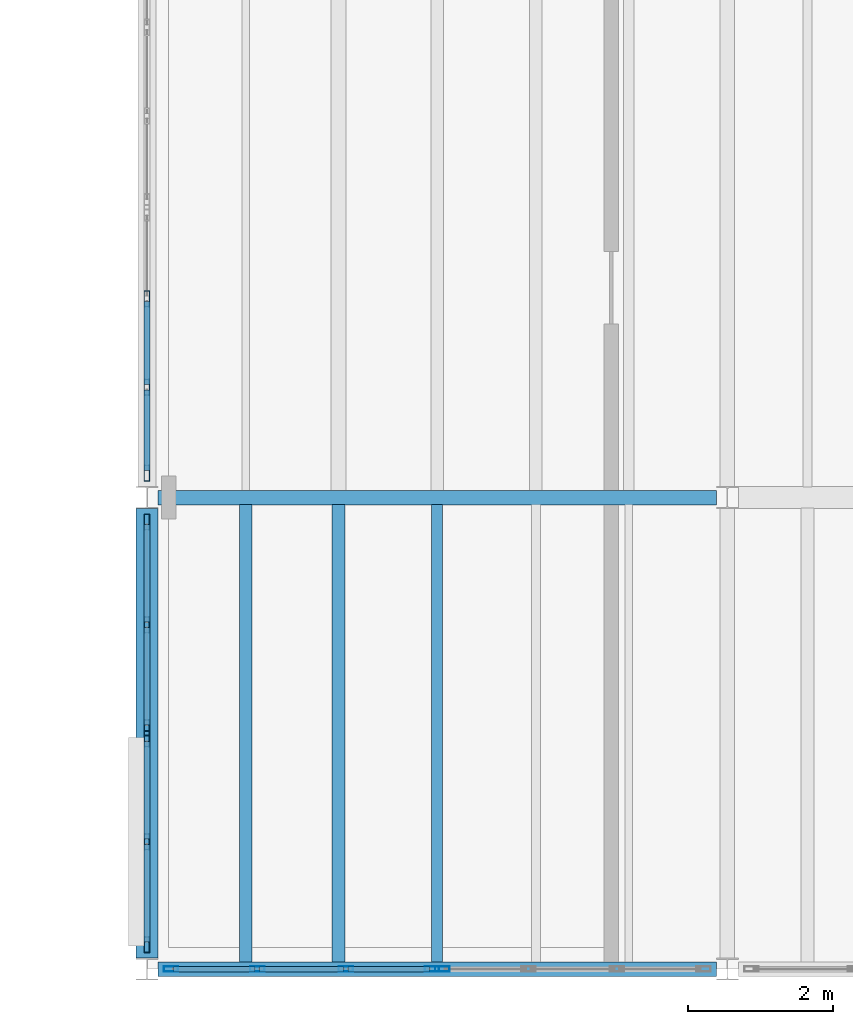
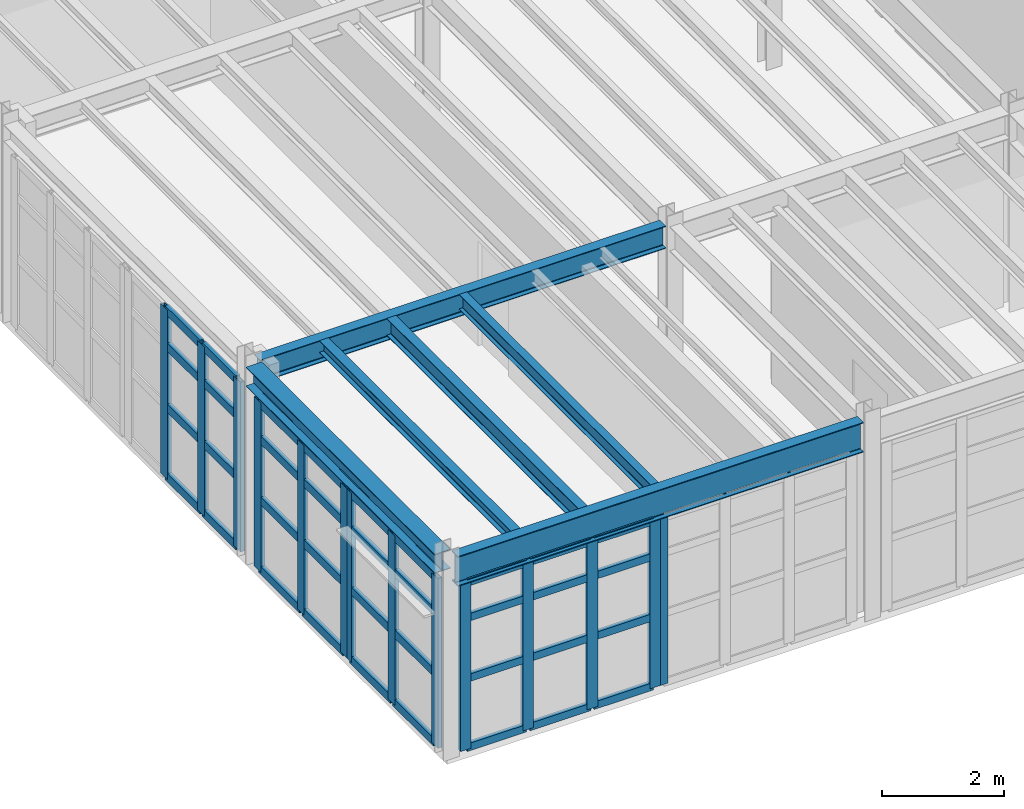
# One storey, part 3 of 27: 50 members, 6 beams, 5 elements without a shape of their own.
"""IFC4 building model written with IfcOpenShell, lengths in metres."""

from ifc_helpers import new_model, si_unit, direction, frame, origin, origin_2d, place, context, subcontext, project, spatial, hollow_rectangle, i_section, extrude, material, material_profile, profile_set, type_object, element, aggregate, save


model = new_model("IFC4")

# Units and contexts
model_context = context("Model", 3, precision=1e-05, world=origin(), true_north=direction((0.0, 1.0)))
body_context = subcontext(model_context, "Body", "Model", "MODEL_VIEW")
ifc_project = project(units=[si_unit("LENGTHUNIT", "METRE"), si_unit("AREAUNIT", "SQUARE_METRE"), si_unit("VOLUMEUNIT", "CUBIC_METRE"), si_unit("PLANEANGLEUNIT", "RADIAN"), si_unit("MASSUNIT", "GRAM", prefix="KILO"), si_unit("THERMODYNAMICTEMPERATUREUNIT", "KELVIN"), si_unit("POWERUNIT", "WATT")], contexts=[model_context])

# Site, building, storey
site_placement = place(None, origin())
site = spatial("IfcSite", under=ifc_project, at=site_placement, CompositionType="ELEMENT")
building_placement = place(site_placement, origin())
building = spatial("IfcBuilding", under=site, at=building_placement, Name="Zhenchuan Central Fire Station", CompositionType="ELEMENT")
storey_placement = place(building_placement, frame((0.0, 0.0, 14.25)))
storey = spatial("IfcBuildingStorey", under=building, at=storey_placement, Name="L04", CompositionType="ELEMENT", Elevation=14.25)

# Beams
ifc_material_1 = material(Name="Steel Q355B", Category="steel")
ifc_material_profile_1 = material_profile(ifc_material_1, i_section(OverallWidth=0.300048828125, OverallDepth=0.389892578125, WebThickness=0.010009765625, FlangeThickness=0.01611328125, FilletRadius=0.02001953125, at=origin_2d()), Name="HM 390x300")
ifc_profile_set_1 = profile_set([ifc_material_profile_1], Name="Steel Q355B")
beam_type_1 = type_object("IfcBeamType", Name="BM-HM390-INT", PredefinedType="BEAM", material=ifc_profile_set_1)
beam_1_placement = place(storey_placement, frame((140.0, 0.14990234375, 3.784912109375), z_axis=(0.0, 1.0, 0.0), x_axis=(-1.0, 0.0, 0.0)))
element("IfcBeam", 1, at=beam_1_placement, inside=storey, type_object=beam_type_1, Name="L05 Girder NS 0459", PredefinedType="BEAM", context=body_context, shape_type="SweptSolid", body=[
    extrude(i_section(OverallWidth=0.300048828125, OverallDepth=0.389892578125, WebThickness=0.010009765625, FlangeThickness=0.01611328125, FilletRadius=0.02001953125, at=origin_2d()), origin(), (0.0, 0.0, 1.0), 6.2001953125),
])
ifc_material_profile_2 = material_profile(ifc_material_1, i_section(OverallWidth=0.199951171875, OverallDepth=0.449951171875, WebThickness=0.009033203125, FlangeThickness=0.013916015625, FilletRadius=0.01806640625, at=origin_2d()), Name="HN 450x200")
ifc_profile_set_2 = profile_set([ifc_material_profile_2], Name="Steel Q355B")
beam_type_2 = type_object("IfcBeamType", Name="BM-HN450", PredefinedType="BEAM", material=ifc_profile_set_2)
beam_2_placement = place(storey_placement, frame((140.14990234375, 6.5, 3.7548828125), z_axis=(1.0, 0.0, 0.0), x_axis=(0.0, 1.0, 0.0)))
element("IfcBeam", 2, at=beam_2_placement, inside=storey, type_object=beam_type_2, Name="L05 Girder EW 0434", PredefinedType="BEAM", context=body_context, shape_type="SweptSolid", body=[
    extrude(i_section(OverallWidth=0.199951171875, OverallDepth=0.449951171875, WebThickness=0.009033203125, FlangeThickness=0.013916015625, FilletRadius=0.01806640625, at=origin_2d()), origin(), (0.0, 0.0, 1.0), 7.7001953125),
])
ifc_material_profile_3 = material_profile(ifc_material_1, i_section(OverallWidth=0.199951171875, OverallDepth=0.60009765625, WebThickness=0.010986328125, FlangeThickness=0.01708984375, FilletRadius=0.02197265625, at=origin_2d()), Name="HN 600x200")
ifc_profile_set_3 = profile_set([ifc_material_profile_3], Name="Steel Q355B")
beam_type_3 = type_object("IfcBeamType", Name="BM-HN600", PredefinedType="BEAM", material=ifc_profile_set_3)
beam_3_placement = place(storey_placement, frame((140.14990234375, 0.0, 3.679931640625), z_axis=(1.0, 0.0, 0.0), x_axis=(0.0, 1.0, 0.0)))
element("IfcBeam", 3, at=beam_3_placement, inside=storey, type_object=beam_type_3, Name="L05 Girder EW 0431", PredefinedType="BEAM", context=body_context, shape_type="SweptSolid", body=[
    extrude(i_section(OverallWidth=0.199951171875, OverallDepth=0.60009765625, WebThickness=0.010986328125, FlangeThickness=0.01708984375, FilletRadius=0.02197265625, at=origin_2d()), origin(), (0.0, 0.0, 1.0), 7.7001953125),
])

# Curtain wall, members
ifc_material_2 = material(Name="Anodised aluminium and low-E glazing", Category="aluminium")
curtain_wall_type_1 = type_object("IfcCurtainWallType", Name="CW-MOD-07", PredefinedType="USERDEFINED", material=ifc_material_2)
curtain_wall_1_placement = place(storey_placement, origin())
curtain_wall_1 = element("IfcCurtainWall", 4, at=curtain_wall_1_placement, inside=storey, type_object=curtain_wall_type_1, Name="L04 Unitised Curtain Wall 122", ObjectType="UNITISED GLAZING", PredefinedType="USERDEFINED")
ifc_material_3 = material(Name="Anodised aluminium EN AW-6063", Category="aluminium")
ifc_material_profile_4 = material_profile(ifc_material_3, hollow_rectangle(XDim=0.074951171875, YDim=0.199951171875, WallThickness=0.0048828125, at=origin_2d()), Name="ALU-M 200x75")
ifc_profile_set_4 = profile_set([ifc_material_profile_4], Name="Anodised aluminium EN AW-6063")
member_type_1 = type_object("IfcMemberType", Name="CW-MUL160", PredefinedType="MULLION", material=ifc_profile_set_4)
member_1_placement = place(storey_placement, frame((140.33251953125, 0.0, -0.00390625), z_axis=(0.0, 0.0, 1.0), x_axis=(0.0, 1.0, 0.0)))
member_1 = element("IfcMember", 5, at=member_1_placement, type_object=member_type_1, Name="CW-07 mullion 1", PredefinedType="MULLION", context=body_context, shape_type="SweptSolid", body=[
    extrude(hollow_rectangle(XDim=0.074951171875, YDim=0.199951171875, WallThickness=0.0048828125, at=origin_2d()), origin(), (0.0, 0.0, 1.0), 3.3779296875),
])
member_2_placement = place(storey_placement, frame((141.520751953125, 0.0, -0.00390625), z_axis=(0.0, 0.0, 1.0), x_axis=(0.0, 1.0, 0.0)))
member_2 = element("IfcMember", 6, at=member_2_placement, type_object=member_type_1, Name="CW-07 mullion 2", PredefinedType="MULLION", context=body_context, shape_type="SweptSolid", body=[
    extrude(hollow_rectangle(XDim=0.074951171875, YDim=0.199951171875, WallThickness=0.0048828125, at=origin_2d()), origin(), (0.0, 0.0, 1.0), 3.3779296875),
])
member_3_placement = place(storey_placement, frame((142.741455078125, 0.0, -0.00390625), z_axis=(0.0, 0.0, 1.0), x_axis=(0.0, 1.0, 0.0)))
member_3 = element("IfcMember", 7, at=member_3_placement, type_object=member_type_1, Name="CW-07 mullion 3", PredefinedType="MULLION", context=body_context, shape_type="SweptSolid", body=[
    extrude(hollow_rectangle(XDim=0.074951171875, YDim=0.199951171875, WallThickness=0.0048828125, at=origin_2d()), origin(), (0.0, 0.0, 1.0), 3.3779296875),
])
member_4_placement = place(storey_placement, frame((143.929443359375, 0.0, -0.00390625), z_axis=(0.0, 0.0, 1.0), x_axis=(0.0, 1.0, 0.0)))
member_4 = element("IfcMember", 8, at=member_4_placement, type_object=member_type_1, Name="CW-07 mullion 4", PredefinedType="MULLION", context=body_context, shape_type="SweptSolid", body=[
    extrude(hollow_rectangle(XDim=0.074951171875, YDim=0.199951171875, WallThickness=0.0048828125, at=origin_2d()), origin(), (0.0, 0.0, 1.0), 3.3779296875),
])

# Curtain wall, member
curtain_wall_type_2 = type_object("IfcCurtainWallType", Name="CW-MOD-08", PredefinedType="USERDEFINED", material=ifc_material_2)
curtain_wall_2_placement = place(storey_placement, origin())
curtain_wall_2 = element("IfcCurtainWall", 9, at=curtain_wall_2_placement, inside=storey, type_object=curtain_wall_type_2, Name="L04 Unitised Curtain Wall 123", ObjectType="UNITISED GLAZING", PredefinedType="USERDEFINED")
member_5_placement = place(storey_placement, frame((144.070556640625, 0.0, -0.00390625), z_axis=(0.0, 0.0, 1.0), x_axis=(0.0, 1.0, 0.0)))
member_5 = element("IfcMember", 10, at=member_5_placement, type_object=member_type_1, Name="CW-08 mullion 1", PredefinedType="MULLION", context=body_context, shape_type="SweptSolid", body=[
    extrude(hollow_rectangle(XDim=0.074951171875, YDim=0.199951171875, WallThickness=0.0048828125, at=origin_2d()), origin(), (0.0, 0.0, 1.0), 3.3779296875),
])
aggregate(curtain_wall_2, [member_5])

# Curtain wall, members
curtain_wall_type_3 = type_object("IfcCurtainWallType", Name="CW-MOD-12", PredefinedType="USERDEFINED", material=ifc_material_2)
curtain_wall_3_placement = place(storey_placement, origin())
curtain_wall_3 = element("IfcCurtainWall", 11, at=curtain_wall_3_placement, inside=storey, type_object=curtain_wall_type_3, Name="L04 Unitised Curtain Wall 132", ObjectType="UNITISED GLAZING", PredefinedType="USERDEFINED")
ifc_material_profile_5 = material_profile(ifc_material_3, hollow_rectangle(XDim=0.080078125, YDim=0.219970703125, WallThickness=0.005615234375, at=origin_2d()), Name="ALU-M 220x80")
ifc_profile_set_5 = profile_set([ifc_material_profile_5], Name="Anodised aluminium EN AW-6063")
member_type_2 = type_object("IfcMemberType", Name="CW-MUL200", PredefinedType="MULLION", material=ifc_profile_set_5)
member_6_placement = place(storey_placement, frame((140.0, 0.33740234375, -0.00390625), z_axis=(0.0, 0.0, 1.0), x_axis=(-1.0, 0.0, 0.0)))
member_6 = element("IfcMember", 12, at=member_6_placement, type_object=member_type_2, Name="CW-12 mullion 1", PredefinedType="MULLION", context=body_context, shape_type="SweptSolid", body=[
    extrude(hollow_rectangle(XDim=0.080078125, YDim=0.219970703125, WallThickness=0.005615234375, at=origin_2d()), origin(), (0.0, 0.0, 1.0), 3.40380859375),
])
member_7_placement = place(storey_placement, frame((140.0, 1.756103515625, -0.00390625), z_axis=(0.0, 0.0, 1.0), x_axis=(-1.0, 0.0, 0.0)))
member_7 = element("IfcMember", 13, at=member_7_placement, type_object=member_type_2, Name="CW-12 mullion 2", PredefinedType="MULLION", context=body_context, shape_type="SweptSolid", body=[
    extrude(hollow_rectangle(XDim=0.080078125, YDim=0.219970703125, WallThickness=0.005615234375, at=origin_2d()), origin(), (0.0, 0.0, 1.0), 3.40380859375),
])
member_8_placement = place(storey_placement, frame((140.0, 3.174560546875, -0.00390625), z_axis=(0.0, 0.0, 1.0), x_axis=(-1.0, 0.0, 0.0)))
member_8 = element("IfcMember", 14, at=member_8_placement, type_object=member_type_2, Name="CW-12 mullion 3", PredefinedType="MULLION", context=body_context, shape_type="SweptSolid", body=[
    extrude(hollow_rectangle(XDim=0.080078125, YDim=0.219970703125, WallThickness=0.005615234375, at=origin_2d()), origin(), (0.0, 0.0, 1.0), 3.40380859375),
])

curtain_wall_type_4 = type_object("IfcCurtainWallType", Name="CW-MOD-13", PredefinedType="USERDEFINED", material=ifc_material_2)
curtain_wall_4_placement = place(storey_placement, origin())
curtain_wall_4 = element("IfcCurtainWall", 15, at=curtain_wall_4_placement, inside=storey, type_object=curtain_wall_type_4, Name="L04 Unitised Curtain Wall 133", ObjectType="UNITISED GLAZING", PredefinedType="USERDEFINED")
member_9_placement = place(storey_placement, frame((140.0, 3.325439453125, -0.00390625), z_axis=(0.0, 0.0, 1.0), x_axis=(-1.0, 0.0, 0.0)))
member_9 = element("IfcMember", 16, at=member_9_placement, type_object=member_type_2, Name="CW-13 mullion 1", PredefinedType="MULLION", context=body_context, shape_type="SweptSolid", body=[
    extrude(hollow_rectangle(XDim=0.080078125, YDim=0.219970703125, WallThickness=0.005615234375, at=origin_2d()), origin(), (0.0, 0.0, 1.0), 3.40380859375),
])
member_10_placement = place(storey_placement, frame((140.0, 4.743896484375, -0.00390625), z_axis=(0.0, 0.0, 1.0), x_axis=(-1.0, 0.0, 0.0)))
member_10 = element("IfcMember", 17, at=member_10_placement, type_object=member_type_2, Name="CW-13 mullion 2", PredefinedType="MULLION", context=body_context, shape_type="SweptSolid", body=[
    extrude(hollow_rectangle(XDim=0.080078125, YDim=0.219970703125, WallThickness=0.005615234375, at=origin_2d()), origin(), (0.0, 0.0, 1.0), 3.40380859375),
])
member_11_placement = place(storey_placement, frame((140.0, 6.16259765625, -0.00390625), z_axis=(0.0, 0.0, 1.0), x_axis=(-1.0, 0.0, 0.0)))
member_11 = element("IfcMember", 18, at=member_11_placement, type_object=member_type_2, Name="CW-13 mullion 3", PredefinedType="MULLION", context=body_context, shape_type="SweptSolid", body=[
    extrude(hollow_rectangle(XDim=0.080078125, YDim=0.219970703125, WallThickness=0.005615234375, at=origin_2d()), origin(), (0.0, 0.0, 1.0), 3.40380859375),
])

curtain_wall_5_placement = place(storey_placement, origin())
curtain_wall_5 = element("IfcCurtainWall", 19, at=curtain_wall_5_placement, inside=storey, type_object=curtain_wall_type_4, Name="L04 Unitised Curtain Wall 134", ObjectType="UNITISED GLAZING", PredefinedType="USERDEFINED")
member_12_placement = place(storey_placement, frame((140.0, 6.83740234375, -0.00390625), z_axis=(0.0, 0.0, 1.0), x_axis=(-1.0, 0.0, 0.0)))
member_12 = element("IfcMember", 20, at=member_12_placement, type_object=member_type_2, Name="CW-13 mullion 1", PredefinedType="MULLION", context=body_context, shape_type="SweptSolid", body=[
    extrude(hollow_rectangle(XDim=0.080078125, YDim=0.219970703125, WallThickness=0.005615234375, at=origin_2d()), origin(), (0.0, 0.0, 1.0), 3.40380859375),
])
member_13_placement = place(storey_placement, frame((140.0, 8.020751953125, -0.00390625), z_axis=(0.0, 0.0, 1.0), x_axis=(-1.0, 0.0, 0.0)))
member_13 = element("IfcMember", 21, at=member_13_placement, type_object=member_type_2, Name="CW-13 mullion 2", PredefinedType="MULLION", context=body_context, shape_type="SweptSolid", body=[
    extrude(hollow_rectangle(XDim=0.080078125, YDim=0.219970703125, WallThickness=0.005615234375, at=origin_2d()), origin(), (0.0, 0.0, 1.0), 3.40380859375),
])
member_14_placement = place(storey_placement, frame((140.0, 9.241455078125, -0.00390625), z_axis=(0.0, 0.0, 1.0), x_axis=(-1.0, 0.0, 0.0)))
member_14 = element("IfcMember", 22, at=member_14_placement, type_object=member_type_2, Name="CW-13 mullion 3", PredefinedType="MULLION", context=body_context, shape_type="SweptSolid", body=[
    extrude(hollow_rectangle(XDim=0.080078125, YDim=0.219970703125, WallThickness=0.005615234375, at=origin_2d()), origin(), (0.0, 0.0, 1.0), 3.40380859375),
])

# Member
ifc_material_profile_6 = material_profile(ifc_material_3, hollow_rectangle(XDim=0.074951171875, YDim=0.14990234375, WallThickness=0.0048828125, at=origin_2d()), Name="ALU-T 150x75")
ifc_profile_set_6 = profile_set([ifc_material_profile_6], Name="Anodised aluminium EN AW-6063")
member_type_3 = type_object("IfcMemberType", Name="CW-TRN130", PredefinedType="NOTDEFINED", material=ifc_profile_set_6)
member_15_placement = place(storey_placement, frame((140.364990234375, 0.0, 0.028564453125), z_axis=(1.0, 0.0, 0.0), x_axis=(0.0, 1.0, 0.0)))
member_15 = element("IfcMember", 23, at=member_15_placement, type_object=member_type_3, Name="CW-07 transom 1.1", ObjectType="TRANSOM", PredefinedType="USERDEFINED", context=body_context, shape_type="SweptSolid", body=[
    extrude(hollow_rectangle(XDim=0.074951171875, YDim=0.14990234375, WallThickness=0.0048828125, at=origin_2d()), origin(), (0.0, 0.0, 1.0), 1.123291015625),
])

member_16_placement = place(storey_placement, frame((140.364990234375, 0.0, 1.4169921875), z_axis=(1.0, 0.0, 0.0), x_axis=(0.0, 1.0, 0.0)))
member_16 = element("IfcMember", 24, at=member_16_placement, type_object=member_type_3, Name="CW-07 transom 1.2", ObjectType="TRANSOM", PredefinedType="USERDEFINED", context=body_context, shape_type="SweptSolid", body=[
    extrude(hollow_rectangle(XDim=0.074951171875, YDim=0.14990234375, WallThickness=0.0048828125, at=origin_2d()), origin(), (0.0, 0.0, 1.0), 1.123291015625),
])

member_17_placement = place(storey_placement, frame((140.364990234375, 0.0, 2.631591796875), z_axis=(1.0, 0.0, 0.0), x_axis=(0.0, 1.0, 0.0)))
member_17 = element("IfcMember", 25, at=member_17_placement, type_object=member_type_3, Name="CW-07 transom 1.3", ObjectType="TRANSOM", PredefinedType="USERDEFINED", context=body_context, shape_type="SweptSolid", body=[
    extrude(hollow_rectangle(XDim=0.074951171875, YDim=0.14990234375, WallThickness=0.0048828125, at=origin_2d()), origin(), (0.0, 0.0, 1.0), 1.123291015625),
])

member_18_placement = place(storey_placement, frame((140.364990234375, 0.0, 3.341552734375), z_axis=(1.0, 0.0, 0.0), x_axis=(0.0, 1.0, 0.0)))
member_18 = element("IfcMember", 26, at=member_18_placement, type_object=member_type_3, Name="CW-07 transom 1.4", ObjectType="TRANSOM", PredefinedType="USERDEFINED", context=body_context, shape_type="SweptSolid", body=[
    extrude(hollow_rectangle(XDim=0.074951171875, YDim=0.14990234375, WallThickness=0.0048828125, at=origin_2d()), origin(), (0.0, 0.0, 1.0), 1.123291015625),
])

member_19_placement = place(storey_placement, frame((141.55322265625, 0.0, 0.028564453125), z_axis=(1.0, 0.0, 0.0), x_axis=(0.0, 1.0, 0.0)))
member_19 = element("IfcMember", 27, at=member_19_placement, type_object=member_type_3, Name="CW-07 transom 2.1", ObjectType="TRANSOM", PredefinedType="USERDEFINED", context=body_context, shape_type="SweptSolid", body=[
    extrude(hollow_rectangle(XDim=0.074951171875, YDim=0.14990234375, WallThickness=0.0048828125, at=origin_2d()), origin(), (0.0, 0.0, 1.0), 1.155517578125),
])

member_20_placement = place(storey_placement, frame((141.55322265625, 0.0, 1.4169921875), z_axis=(1.0, 0.0, 0.0), x_axis=(0.0, 1.0, 0.0)))
member_20 = element("IfcMember", 28, at=member_20_placement, type_object=member_type_3, Name="CW-07 transom 2.2", ObjectType="TRANSOM", PredefinedType="USERDEFINED", context=body_context, shape_type="SweptSolid", body=[
    extrude(hollow_rectangle(XDim=0.074951171875, YDim=0.14990234375, WallThickness=0.0048828125, at=origin_2d()), origin(), (0.0, 0.0, 1.0), 1.155517578125),
])

member_21_placement = place(storey_placement, frame((141.55322265625, 0.0, 2.631591796875), z_axis=(1.0, 0.0, 0.0), x_axis=(0.0, 1.0, 0.0)))
member_21 = element("IfcMember", 29, at=member_21_placement, type_object=member_type_3, Name="CW-07 transom 2.3", ObjectType="TRANSOM", PredefinedType="USERDEFINED", context=body_context, shape_type="SweptSolid", body=[
    extrude(hollow_rectangle(XDim=0.074951171875, YDim=0.14990234375, WallThickness=0.0048828125, at=origin_2d()), origin(), (0.0, 0.0, 1.0), 1.155517578125),
])

member_22_placement = place(storey_placement, frame((141.55322265625, 0.0, 3.341552734375), z_axis=(1.0, 0.0, 0.0), x_axis=(0.0, 1.0, 0.0)))
member_22 = element("IfcMember", 30, at=member_22_placement, type_object=member_type_3, Name="CW-07 transom 2.4", ObjectType="TRANSOM", PredefinedType="USERDEFINED", context=body_context, shape_type="SweptSolid", body=[
    extrude(hollow_rectangle(XDim=0.074951171875, YDim=0.14990234375, WallThickness=0.0048828125, at=origin_2d()), origin(), (0.0, 0.0, 1.0), 1.155517578125),
])

member_23_placement = place(storey_placement, frame((142.77392578125, 0.0, 0.028564453125), z_axis=(1.0, 0.0, 0.0), x_axis=(0.0, 1.0, 0.0)))
member_23 = element("IfcMember", 31, at=member_23_placement, type_object=member_type_3, Name="CW-07 transom 3.1", ObjectType="TRANSOM", PredefinedType="USERDEFINED", context=body_context, shape_type="SweptSolid", body=[
    extrude(hollow_rectangle(XDim=0.074951171875, YDim=0.14990234375, WallThickness=0.0048828125, at=origin_2d()), origin(), (0.0, 0.0, 1.0), 1.123046875),
])

member_24_placement = place(storey_placement, frame((142.77392578125, 0.0, 1.4169921875), z_axis=(1.0, 0.0, 0.0), x_axis=(0.0, 1.0, 0.0)))
member_24 = element("IfcMember", 32, at=member_24_placement, type_object=member_type_3, Name="CW-07 transom 3.2", ObjectType="TRANSOM", PredefinedType="USERDEFINED", context=body_context, shape_type="SweptSolid", body=[
    extrude(hollow_rectangle(XDim=0.074951171875, YDim=0.14990234375, WallThickness=0.0048828125, at=origin_2d()), origin(), (0.0, 0.0, 1.0), 1.123046875),
])

member_25_placement = place(storey_placement, frame((142.77392578125, 0.0, 2.631591796875), z_axis=(1.0, 0.0, 0.0), x_axis=(0.0, 1.0, 0.0)))
member_25 = element("IfcMember", 33, at=member_25_placement, type_object=member_type_3, Name="CW-07 transom 3.3", ObjectType="TRANSOM", PredefinedType="USERDEFINED", context=body_context, shape_type="SweptSolid", body=[
    extrude(hollow_rectangle(XDim=0.074951171875, YDim=0.14990234375, WallThickness=0.0048828125, at=origin_2d()), origin(), (0.0, 0.0, 1.0), 1.123046875),
])

member_26_placement = place(storey_placement, frame((142.77392578125, 0.0, 3.341552734375), z_axis=(1.0, 0.0, 0.0), x_axis=(0.0, 1.0, 0.0)))
member_26 = element("IfcMember", 34, at=member_26_placement, type_object=member_type_3, Name="CW-07 transom 3.4", ObjectType="TRANSOM", PredefinedType="USERDEFINED", context=body_context, shape_type="SweptSolid", body=[
    extrude(hollow_rectangle(XDim=0.074951171875, YDim=0.14990234375, WallThickness=0.0048828125, at=origin_2d()), origin(), (0.0, 0.0, 1.0), 1.123046875),
])

aggregate(curtain_wall_1, [member_1, member_2, member_3, member_4, member_15, member_16, member_17, member_18, member_19, member_20, member_21, member_22, member_23, member_24, member_25, member_26])

ifc_material_profile_7 = material_profile(ifc_material_3, hollow_rectangle(XDim=0.080078125, YDim=0.1650390625, WallThickness=0.0048828125, at=origin_2d()), Name="ALU-T 165x80")
ifc_profile_set_7 = profile_set([ifc_material_profile_7], Name="Anodised aluminium EN AW-6063")
member_type_4 = type_object("IfcMemberType", Name="CW-TRN150", PredefinedType="NOTDEFINED", material=ifc_profile_set_7)
member_27_placement = place(storey_placement, frame((140.0, 0.375, 0.033447265625), z_axis=(0.0, 1.0, 0.0), x_axis=(-1.0, 0.0, 0.0)))
member_27 = element("IfcMember", 35, at=member_27_placement, type_object=member_type_4, Name="CW-12 transom 1.1", ObjectType="TRANSOM", PredefinedType="USERDEFINED", context=body_context, shape_type="SweptSolid", body=[
    extrude(hollow_rectangle(XDim=0.080078125, YDim=0.1650390625, WallThickness=0.0048828125, at=origin_2d()), origin(), (0.0, 0.0, 1.0), 1.343505859375),
])

member_28_placement = place(storey_placement, frame((140.0, 0.375, 1.427978515625), z_axis=(0.0, 1.0, 0.0), x_axis=(-1.0, 0.0, 0.0)))
member_28 = element("IfcMember", 36, at=member_28_placement, type_object=member_type_4, Name="CW-12 transom 1.2", ObjectType="TRANSOM", PredefinedType="USERDEFINED", context=body_context, shape_type="SweptSolid", body=[
    extrude(hollow_rectangle(XDim=0.080078125, YDim=0.1650390625, WallThickness=0.0048828125, at=origin_2d()), origin(), (0.0, 0.0, 1.0), 1.343505859375),
])

member_29_placement = place(storey_placement, frame((140.0, 0.375, 2.652099609375), z_axis=(0.0, 1.0, 0.0), x_axis=(-1.0, 0.0, 0.0)))
member_29 = element("IfcMember", 37, at=member_29_placement, type_object=member_type_4, Name="CW-12 transom 1.3", ObjectType="TRANSOM", PredefinedType="USERDEFINED", context=body_context, shape_type="SweptSolid", body=[
    extrude(hollow_rectangle(XDim=0.080078125, YDim=0.1650390625, WallThickness=0.0048828125, at=origin_2d()), origin(), (0.0, 0.0, 1.0), 1.343505859375),
])

member_30_placement = place(storey_placement, frame((140.0, 0.375, 3.362548828125), z_axis=(0.0, 1.0, 0.0), x_axis=(-1.0, 0.0, 0.0)))
member_30 = element("IfcMember", 38, at=member_30_placement, type_object=member_type_4, Name="CW-12 transom 1.4", ObjectType="TRANSOM", PredefinedType="USERDEFINED", context=body_context, shape_type="SweptSolid", body=[
    extrude(hollow_rectangle(XDim=0.080078125, YDim=0.1650390625, WallThickness=0.0048828125, at=origin_2d()), origin(), (0.0, 0.0, 1.0), 1.343505859375),
])

member_31_placement = place(storey_placement, frame((140.0, 1.79345703125, 0.033447265625), z_axis=(0.0, 1.0, 0.0), x_axis=(-1.0, 0.0, 0.0)))
member_31 = element("IfcMember", 39, at=member_31_placement, type_object=member_type_4, Name="CW-12 transom 2.1", ObjectType="TRANSOM", PredefinedType="USERDEFINED", context=body_context, shape_type="SweptSolid", body=[
    extrude(hollow_rectangle(XDim=0.080078125, YDim=0.1650390625, WallThickness=0.0048828125, at=origin_2d()), origin(), (0.0, 0.0, 1.0), 1.343505859375),
])

member_32_placement = place(storey_placement, frame((140.0, 1.79345703125, 1.427978515625), z_axis=(0.0, 1.0, 0.0), x_axis=(-1.0, 0.0, 0.0)))
member_32 = element("IfcMember", 40, at=member_32_placement, type_object=member_type_4, Name="CW-12 transom 2.2", ObjectType="TRANSOM", PredefinedType="USERDEFINED", context=body_context, shape_type="SweptSolid", body=[
    extrude(hollow_rectangle(XDim=0.080078125, YDim=0.1650390625, WallThickness=0.0048828125, at=origin_2d()), origin(), (0.0, 0.0, 1.0), 1.343505859375),
])

member_33_placement = place(storey_placement, frame((140.0, 1.79345703125, 2.652099609375), z_axis=(0.0, 1.0, 0.0), x_axis=(-1.0, 0.0, 0.0)))
member_33 = element("IfcMember", 41, at=member_33_placement, type_object=member_type_4, Name="CW-12 transom 2.3", ObjectType="TRANSOM", PredefinedType="USERDEFINED", context=body_context, shape_type="SweptSolid", body=[
    extrude(hollow_rectangle(XDim=0.080078125, YDim=0.1650390625, WallThickness=0.0048828125, at=origin_2d()), origin(), (0.0, 0.0, 1.0), 1.343505859375),
])

member_34_placement = place(storey_placement, frame((140.0, 1.79345703125, 3.362548828125), z_axis=(0.0, 1.0, 0.0), x_axis=(-1.0, 0.0, 0.0)))
member_34 = element("IfcMember", 42, at=member_34_placement, type_object=member_type_4, Name="CW-12 transom 2.4", ObjectType="TRANSOM", PredefinedType="USERDEFINED", context=body_context, shape_type="SweptSolid", body=[
    extrude(hollow_rectangle(XDim=0.080078125, YDim=0.1650390625, WallThickness=0.0048828125, at=origin_2d()), origin(), (0.0, 0.0, 1.0), 1.343505859375),
])

aggregate(curtain_wall_3, [member_6, member_7, member_8, member_27, member_28, member_29, member_30, member_31, member_32, member_33, member_34])

member_35_placement = place(storey_placement, frame((140.0, 3.363037109375, 0.033447265625), z_axis=(0.0, 1.0, 0.0), x_axis=(-1.0, 0.0, 0.0)))
member_35 = element("IfcMember", 43, at=member_35_placement, type_object=member_type_4, Name="CW-13 transom 1.1", ObjectType="TRANSOM", PredefinedType="USERDEFINED", context=body_context, shape_type="SweptSolid", body=[
    extrude(hollow_rectangle(XDim=0.080078125, YDim=0.1650390625, WallThickness=0.0048828125, at=origin_2d()), origin(), (0.0, 0.0, 1.0), 1.343505859375),
])

member_36_placement = place(storey_placement, frame((140.0, 3.363037109375, 1.427978515625), z_axis=(0.0, 1.0, 0.0), x_axis=(-1.0, 0.0, 0.0)))
member_36 = element("IfcMember", 44, at=member_36_placement, type_object=member_type_4, Name="CW-13 transom 1.2", ObjectType="TRANSOM", PredefinedType="USERDEFINED", context=body_context, shape_type="SweptSolid", body=[
    extrude(hollow_rectangle(XDim=0.080078125, YDim=0.1650390625, WallThickness=0.0048828125, at=origin_2d()), origin(), (0.0, 0.0, 1.0), 1.343505859375),
])

member_37_placement = place(storey_placement, frame((140.0, 3.363037109375, 2.652099609375), z_axis=(0.0, 1.0, 0.0), x_axis=(-1.0, 0.0, 0.0)))
member_37 = element("IfcMember", 45, at=member_37_placement, type_object=member_type_4, Name="CW-13 transom 1.3", ObjectType="TRANSOM", PredefinedType="USERDEFINED", context=body_context, shape_type="SweptSolid", body=[
    extrude(hollow_rectangle(XDim=0.080078125, YDim=0.1650390625, WallThickness=0.0048828125, at=origin_2d()), origin(), (0.0, 0.0, 1.0), 1.343505859375),
])

member_38_placement = place(storey_placement, frame((140.0, 3.363037109375, 3.362548828125), z_axis=(0.0, 1.0, 0.0), x_axis=(-1.0, 0.0, 0.0)))
member_38 = element("IfcMember", 46, at=member_38_placement, type_object=member_type_4, Name="CW-13 transom 1.4", ObjectType="TRANSOM", PredefinedType="USERDEFINED", context=body_context, shape_type="SweptSolid", body=[
    extrude(hollow_rectangle(XDim=0.080078125, YDim=0.1650390625, WallThickness=0.0048828125, at=origin_2d()), origin(), (0.0, 0.0, 1.0), 1.343505859375),
])

member_39_placement = place(storey_placement, frame((140.0, 4.781494140625, 0.033447265625), z_axis=(0.0, 1.0, 0.0), x_axis=(-1.0, 0.0, 0.0)))
member_39 = element("IfcMember", 47, at=member_39_placement, type_object=member_type_4, Name="CW-13 transom 2.1", ObjectType="TRANSOM", PredefinedType="USERDEFINED", context=body_context, shape_type="SweptSolid", body=[
    extrude(hollow_rectangle(XDim=0.080078125, YDim=0.1650390625, WallThickness=0.0048828125, at=origin_2d()), origin(), (0.0, 0.0, 1.0), 1.343505859375),
])

member_40_placement = place(storey_placement, frame((140.0, 4.781494140625, 1.427978515625), z_axis=(0.0, 1.0, 0.0), x_axis=(-1.0, 0.0, 0.0)))
member_40 = element("IfcMember", 48, at=member_40_placement, type_object=member_type_4, Name="CW-13 transom 2.2", ObjectType="TRANSOM", PredefinedType="USERDEFINED", context=body_context, shape_type="SweptSolid", body=[
    extrude(hollow_rectangle(XDim=0.080078125, YDim=0.1650390625, WallThickness=0.0048828125, at=origin_2d()), origin(), (0.0, 0.0, 1.0), 1.343505859375),
])

member_41_placement = place(storey_placement, frame((140.0, 4.781494140625, 2.652099609375), z_axis=(0.0, 1.0, 0.0), x_axis=(-1.0, 0.0, 0.0)))
member_41 = element("IfcMember", 49, at=member_41_placement, type_object=member_type_4, Name="CW-13 transom 2.3", ObjectType="TRANSOM", PredefinedType="USERDEFINED", context=body_context, shape_type="SweptSolid", body=[
    extrude(hollow_rectangle(XDim=0.080078125, YDim=0.1650390625, WallThickness=0.0048828125, at=origin_2d()), origin(), (0.0, 0.0, 1.0), 1.343505859375),
])

member_42_placement = place(storey_placement, frame((140.0, 4.781494140625, 3.362548828125), z_axis=(0.0, 1.0, 0.0), x_axis=(-1.0, 0.0, 0.0)))
member_42 = element("IfcMember", 50, at=member_42_placement, type_object=member_type_4, Name="CW-13 transom 2.4", ObjectType="TRANSOM", PredefinedType="USERDEFINED", context=body_context, shape_type="SweptSolid", body=[
    extrude(hollow_rectangle(XDim=0.080078125, YDim=0.1650390625, WallThickness=0.0048828125, at=origin_2d()), origin(), (0.0, 0.0, 1.0), 1.343505859375),
])

aggregate(curtain_wall_4, [member_9, member_10, member_11, member_35, member_36, member_37, member_38, member_39, member_40, member_41, member_42])

member_43_placement = place(storey_placement, frame((140.0, 6.875, 0.033447265625), z_axis=(0.0, 1.0, 0.0), x_axis=(-1.0, 0.0, 0.0)))
member_43 = element("IfcMember", 51, at=member_43_placement, type_object=member_type_4, Name="CW-13 transom 1.1", ObjectType="TRANSOM", PredefinedType="USERDEFINED", context=body_context, shape_type="SweptSolid", body=[
    extrude(hollow_rectangle(XDim=0.080078125, YDim=0.1650390625, WallThickness=0.0048828125, at=origin_2d()), origin(), (0.0, 0.0, 1.0), 1.108154296875),
])

member_44_placement = place(storey_placement, frame((140.0, 6.875, 1.427978515625), z_axis=(0.0, 1.0, 0.0), x_axis=(-1.0, 0.0, 0.0)))
member_44 = element("IfcMember", 52, at=member_44_placement, type_object=member_type_4, Name="CW-13 transom 1.2", ObjectType="TRANSOM", PredefinedType="USERDEFINED", context=body_context, shape_type="SweptSolid", body=[
    extrude(hollow_rectangle(XDim=0.080078125, YDim=0.1650390625, WallThickness=0.0048828125, at=origin_2d()), origin(), (0.0, 0.0, 1.0), 1.108154296875),
])

member_45_placement = place(storey_placement, frame((140.0, 6.875, 2.652099609375), z_axis=(0.0, 1.0, 0.0), x_axis=(-1.0, 0.0, 0.0)))
member_45 = element("IfcMember", 53, at=member_45_placement, type_object=member_type_4, Name="CW-13 transom 1.3", ObjectType="TRANSOM", PredefinedType="USERDEFINED", context=body_context, shape_type="SweptSolid", body=[
    extrude(hollow_rectangle(XDim=0.080078125, YDim=0.1650390625, WallThickness=0.0048828125, at=origin_2d()), origin(), (0.0, 0.0, 1.0), 1.108154296875),
])

member_46_placement = place(storey_placement, frame((140.0, 6.875, 3.362548828125), z_axis=(0.0, 1.0, 0.0), x_axis=(-1.0, 0.0, 0.0)))
member_46 = element("IfcMember", 54, at=member_46_placement, type_object=member_type_4, Name="CW-13 transom 1.4", ObjectType="TRANSOM", PredefinedType="USERDEFINED", context=body_context, shape_type="SweptSolid", body=[
    extrude(hollow_rectangle(XDim=0.080078125, YDim=0.1650390625, WallThickness=0.0048828125, at=origin_2d()), origin(), (0.0, 0.0, 1.0), 1.108154296875),
])

member_47_placement = place(storey_placement, frame((140.0, 8.05810546875, 0.033447265625), z_axis=(0.0, 1.0, 0.0), x_axis=(-1.0, 0.0, 0.0)))
member_47 = element("IfcMember", 55, at=member_47_placement, type_object=member_type_4, Name="CW-13 transom 2.1", ObjectType="TRANSOM", PredefinedType="USERDEFINED", context=body_context, shape_type="SweptSolid", body=[
    extrude(hollow_rectangle(XDim=0.080078125, YDim=0.1650390625, WallThickness=0.0048828125, at=origin_2d()), origin(), (0.0, 0.0, 1.0), 1.145751953125),
])

member_48_placement = place(storey_placement, frame((140.0, 8.05810546875, 1.427978515625), z_axis=(0.0, 1.0, 0.0), x_axis=(-1.0, 0.0, 0.0)))
member_48 = element("IfcMember", 56, at=member_48_placement, type_object=member_type_4, Name="CW-13 transom 2.2", ObjectType="TRANSOM", PredefinedType="USERDEFINED", context=body_context, shape_type="SweptSolid", body=[
    extrude(hollow_rectangle(XDim=0.080078125, YDim=0.1650390625, WallThickness=0.0048828125, at=origin_2d()), origin(), (0.0, 0.0, 1.0), 1.145751953125),
])

member_49_placement = place(storey_placement, frame((140.0, 8.05810546875, 2.652099609375), z_axis=(0.0, 1.0, 0.0), x_axis=(-1.0, 0.0, 0.0)))
member_49 = element("IfcMember", 57, at=member_49_placement, type_object=member_type_4, Name="CW-13 transom 2.3", ObjectType="TRANSOM", PredefinedType="USERDEFINED", context=body_context, shape_type="SweptSolid", body=[
    extrude(hollow_rectangle(XDim=0.080078125, YDim=0.1650390625, WallThickness=0.0048828125, at=origin_2d()), origin(), (0.0, 0.0, 1.0), 1.145751953125),
])

member_50_placement = place(storey_placement, frame((140.0, 8.05810546875, 3.362548828125), z_axis=(0.0, 1.0, 0.0), x_axis=(-1.0, 0.0, 0.0)))
member_50 = element("IfcMember", 58, at=member_50_placement, type_object=member_type_4, Name="CW-13 transom 2.4", ObjectType="TRANSOM", PredefinedType="USERDEFINED", context=body_context, shape_type="SweptSolid", body=[
    extrude(hollow_rectangle(XDim=0.080078125, YDim=0.1650390625, WallThickness=0.0048828125, at=origin_2d()), origin(), (0.0, 0.0, 1.0), 1.145751953125),
])

aggregate(curtain_wall_5, [member_12, member_13, member_14, member_43, member_44, member_45, member_46, member_47, member_48, member_49, member_50])

# Beams
ifc_material_profile_8 = material_profile(ifc_material_1, i_section(OverallWidth=0.175048828125, OverallDepth=0.243896484375, WebThickness=0.007080078125, FlangeThickness=0.010986328125, FilletRadius=0.012939453125, at=origin_2d()), Name="HM 244x175")
ifc_profile_set_8 = profile_set([ifc_material_profile_8], Name="Steel Q355B")
beam_type_4 = type_object("IfcBeamType", Name="JS-HM244", PredefinedType="JOIST", material=ifc_profile_set_8)
beam_4_placement = place(storey_placement, frame((141.360107421875, 0.096923828125, 3.85791015625), z_axis=(0.0, 1.0, 0.0), x_axis=(-1.0, 0.0, 0.0)))
element("IfcBeam", 59, at=beam_4_placement, inside=storey, type_object=beam_type_4, Name="L05 Secondary Joist 0702", PredefinedType="JOIST", context=body_context, shape_type="SweptSolid", body=[
    extrude(i_section(OverallWidth=0.175048828125, OverallDepth=0.243896484375, WebThickness=0.007080078125, FlangeThickness=0.010986328125, FilletRadius=0.012939453125, at=origin_2d()), origin(), (0.0, 0.0, 1.0), 6.30615234375),
])
ifc_material_profile_9 = material_profile(ifc_material_1, i_section(OverallWidth=0.14990234375, OverallDepth=0.300048828125, WebThickness=0.006591796875, FlangeThickness=0.009033203125, FilletRadius=0.012939453125, at=origin_2d()), Name="HN 300x150")
ifc_profile_set_9 = profile_set([ifc_material_profile_9], Name="Steel Q355B")
beam_type_5 = type_object("IfcBeamType", Name="JS-HN300", PredefinedType="JOIST", material=ifc_profile_set_9)
beam_5_placement = place(storey_placement, frame((144.0, 0.096923828125, 3.830078125), z_axis=(0.0, 1.0, 0.0), x_axis=(-1.0, 0.0, 0.0)))
element("IfcBeam", 60, at=beam_5_placement, inside=storey, type_object=beam_type_5, Name="L05 Secondary Joist 0704", PredefinedType="JOIST", context=body_context, shape_type="SweptSolid", body=[
    extrude(i_section(OverallWidth=0.14990234375, OverallDepth=0.300048828125, WebThickness=0.006591796875, FlangeThickness=0.009033203125, FilletRadius=0.012939453125, at=origin_2d()), origin(), (0.0, 0.0, 1.0), 6.30615234375),
])
ifc_material_profile_10 = material_profile(ifc_material_1, i_section(OverallWidth=0.175048828125, OverallDepth=0.35009765625, WebThickness=0.007080078125, FlangeThickness=0.010986328125, FilletRadius=0.013916015625, at=origin_2d()), Name="HN 350x175")
ifc_profile_set_10 = profile_set([ifc_material_profile_10], Name="Steel Q355B")
beam_type_6 = type_object("IfcBeamType", Name="JS-HN350", PredefinedType="JOIST", material=ifc_profile_set_10)
beam_6_placement = place(storey_placement, frame((142.639892578125, 0.096923828125, 3.804931640625), z_axis=(0.0, 1.0, 0.0), x_axis=(-1.0, 0.0, 0.0)))
element("IfcBeam", 61, at=beam_6_placement, inside=storey, type_object=beam_type_6, Name="L05 Secondary Joist 0703", PredefinedType="JOIST", context=body_context, shape_type="SweptSolid", body=[
    extrude(i_section(OverallWidth=0.175048828125, OverallDepth=0.35009765625, WebThickness=0.007080078125, FlangeThickness=0.010986328125, FilletRadius=0.013916015625, at=origin_2d()), origin(), (0.0, 0.0, 1.0), 6.30615234375),
])

save(model, "model.ifc")
